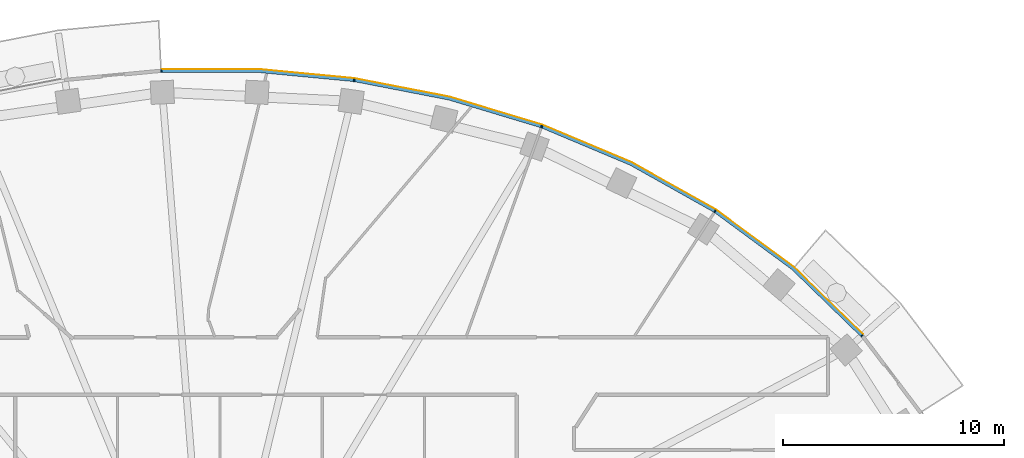
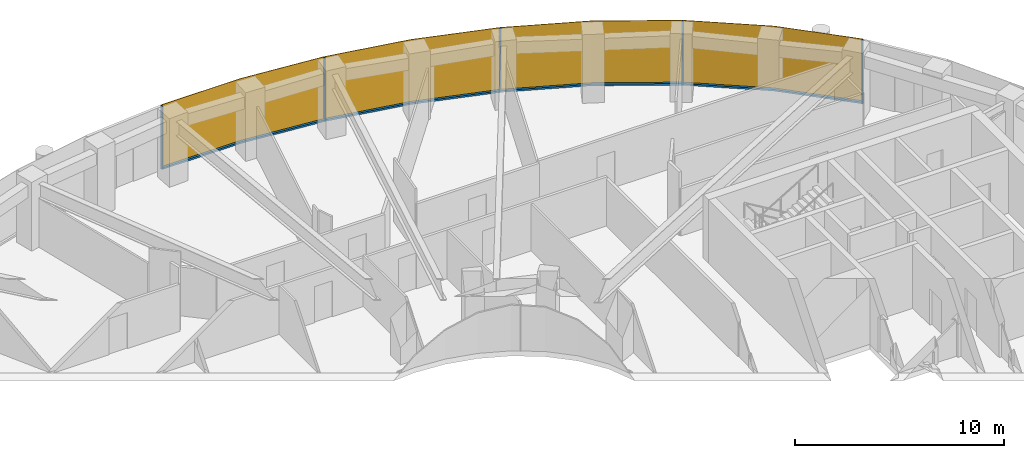
# One storey, part 14 of 17: 9 members, 1 curtain wall.
"""IFC4 building model written with IfcOpenShell, lengths in metres."""

from ifc_helpers import new_model, si_unit, direction, frame, origin, origin_2d, place, context, subcontext, project, spatial, polyline, rectangle, outline, extrude, material, layer, layer_set, material_profile, profile_set, type_object, element, aggregate, save


model = new_model("IFC4")

# Units and contexts
model_context = context("Model", 3, precision=1e-05, world=origin(), true_north=direction((0.0, 1.0)))
body_context = subcontext(model_context, "Body", "Model", "MODEL_VIEW")
ifc_project = project(units=[si_unit("LENGTHUNIT", "METRE"), si_unit("AREAUNIT", "SQUARE_METRE"), si_unit("VOLUMEUNIT", "CUBIC_METRE"), si_unit("PLANEANGLEUNIT", "RADIAN"), si_unit("MASSUNIT", "GRAM", prefix="KILO")], contexts=[model_context])

# Member
ifc_material_1 = material(Name="Aluminium 6063-T6 black anodised", Category="aluminium")
ifc_material_profile = material_profile(ifc_material_1, rectangle(XDim=0.1201171875, YDim=0.06005859375, at=origin_2d()), Name="120x60")
ifc_profile_set = profile_set([ifc_material_profile], Name="Aluminium 6063-T6 black anodised")
member_type_1 = type_object("IfcMemberType", Name="ENV-MULLION-A-120", PredefinedType="MULLION", material=ifc_profile_set)
site_placement = place(None, origin())
building_placement = place(site_placement, origin())
storey_placement = place(building_placement, frame((0.0, 0.0, 269.5)))
member_1_placement = place(storey_placement, frame((29.53857421875, 15.8671875, 0.0), z_axis=(0.0, 0.0, 1.0), x_axis=(-0.749047221705, -0.662516610853, 0.0)))
member_1 = element("IfcMember", 1, at=member_1_placement, type_object=member_type_1, Name="Mullion A radial 05", PredefinedType="MULLION", context=body_context, shape_type="SweptSolid", body=[
    extrude(rectangle(XDim=0.1201171875, YDim=0.06005859375, at=origin_2d()), origin(), (0.0, 0.0, 1.0), 3.699951171875),
])

member_2_placement = place(storey_placement, frame((22.882568359375, 21.506591796875, 0.0), z_axis=(0.0, 0.0, 1.0), x_axis=(-0.542279153225, -0.840198381323, 0.0)))
member_2 = element("IfcMember", 2, at=member_2_placement, type_object=member_type_1, Name="Mullion A radial 07", PredefinedType="MULLION", context=body_context, shape_type="SweptSolid", body=[
    extrude(rectangle(XDim=0.1201171875, YDim=0.06005859375, at=origin_2d()), origin(), (0.0, 0.0, 1.0), 3.699951171875),
])

member_3_placement = place(storey_placement, frame((15.0341796875, 25.34375, 0.0), z_axis=(0.0, 0.0, 1.0), x_axis=(-0.338379256581, -0.941009818608, 0.0)))
member_3 = element("IfcMember", 3, at=member_3_placement, type_object=member_type_1, Name="Mullion A radial 09", PredefinedType="MULLION", context=body_context, shape_type="SweptSolid", body=[
    extrude(rectangle(XDim=0.1201171875, YDim=0.06005859375, at=origin_2d()), origin(), (0.0, 0.0, 1.0), 3.699951171875),
])

member_4_placement = place(storey_placement, frame((6.54638671875, 27.440185546875, 0.0), z_axis=(0.0, 0.0, 1.0), x_axis=(-0.143082012705, -0.989710835366, 0.0)))
member_4 = element("IfcMember", 4, at=member_4_placement, type_object=member_type_1, Name="Mullion A radial 11", PredefinedType="MULLION", context=body_context, shape_type="SweptSolid", body=[
    extrude(rectangle(XDim=0.1201171875, YDim=0.06005859375, at=origin_2d()), origin(), (0.0, 0.0, 1.0), 3.699951171875),
])

member_5_placement = place(storey_placement, frame((-2.188720703125, 27.856201171875, 0.0), z_axis=(0.0, 0.0, 1.0), x_axis=(0.047557873581, -0.998868484166, 0.0)))
member_5 = element("IfcMember", 5, at=member_5_placement, type_object=member_type_1, Name="Mullion A radial 13", PredefinedType="MULLION", context=body_context, shape_type="SweptSolid", body=[
    extrude(rectangle(XDim=0.1201171875, YDim=0.06005859375, at=origin_2d()), origin(), (0.0, 0.0, 1.0), 3.699951171875),
])

ifc_material_2 = material(Name="Aluminium 6063-T6 black anodised", Category="aluminium")
member_type_2 = type_object("IfcMemberType", Name="ENV-TRANSOM-A", PredefinedType="USERDEFINED", material=ifc_material_2)
member_6_placement = place(storey_placement, origin())
member_6 = element("IfcMember", 6, at=member_6_placement, type_object=member_type_2, Name="Transom A radial 05-07", ObjectType="TRANSOM", PredefinedType="USERDEFINED", context=body_context, shape_type="SweptSolid", body=[
    extrude(outline(polyline([(29.5634765625, 15.926513671875), (26.4423828125, 18.958740234375), (22.937744140625, 21.540283203125), (22.87255859375, 21.439208984375), (26.364501953125, 18.866943359375), (29.473388671875, 15.8466796875), (29.5634765625, 15.926513671875)])), origin(), (0.0, 0.0, 1.0), 0.10009765625),
])

member_7_placement = place(storey_placement, origin())
member_7 = element("IfcMember", 7, at=member_7_placement, type_object=member_type_2, Name="Transom A radial 07-09", ObjectType="TRANSOM", PredefinedType="USERDEFINED", context=body_context, shape_type="SweptSolid", body=[
    extrude(outline(polyline([(22.890625, 21.570556640625), (19.093994140625, 23.701416015625), (15.080322265625, 25.389404296875), (15.03955078125, 25.276123046875), (19.041259765625, 23.593505859375), (22.825439453125, 21.469482421875), (22.890625, 21.570556640625)])), origin(), (0.0, 0.0, 1.0), 0.10009765625),
])

member_8_placement = place(storey_placement, origin())
member_8 = element("IfcMember", 8, at=member_8_placement, type_object=member_type_2, Name="Transom A radial 09-11", ObjectType="TRANSOM", PredefinedType="USERDEFINED", context=body_context, shape_type="SweptSolid", body=[
    extrude(outline(polyline([(15.027587890625, 25.408203125), (10.857666015625, 26.6630859375), (6.58251953125, 27.494140625), (6.5654296875, 27.375244140625), (10.828857421875, 26.54638671875), (14.987060546875, 25.295166015625), (15.027587890625, 25.408203125)])), origin(), (0.0, 0.0, 1.0), 0.10009765625),
])

member_9_placement = place(storey_placement, origin())
member_9 = element("IfcMember", 9, at=member_9_placement, type_object=member_type_2, Name="Transom A radial 11-13", ObjectType="TRANSOM", PredefinedType="USERDEFINED", context=body_context, shape_type="SweptSolid", body=[
    extrude(outline(polyline([(6.527099609375, 27.502197265625), (2.191650390625, 27.916015625), (-2.163818359375, 27.916015625), (-2.157958984375, 27.7958984375), (2.185791015625, 27.7958984375), (6.510009765625, 27.38330078125), (6.527099609375, 27.502197265625)])), origin(), (0.0, 0.0, 1.0), 0.10009765625),
])

# Site, building, storey
site = spatial("IfcSite", under=ifc_project, at=site_placement, CompositionType="ELEMENT")
building = spatial("IfcBuilding", under=site, at=building_placement, Name="Noorbagh Ring Tower", CompositionType="ELEMENT")
storey = spatial("IfcBuildingStorey", under=building, at=storey_placement, Name="L57", CompositionType="ELEMENT", Elevation=269.5)

# Curtain wall
ifc_material_3 = material(Name="Glass dark tinted laminated", Category="glass")
ifc_layer = layer(ifc_material_3, 0.031982421875)
ifc_layer_set = layer_set([ifc_layer], Name="Glass dark tinted laminated")
curtain_wall_type = type_object("IfcCurtainWallType", Name="ENV-CW-A", PredefinedType="NOTDEFINED", material=ifc_layer_set)
curtain_wall_placement = place(storey_placement, origin())
curtain_wall = element("IfcCurtainWall", 10, at=curtain_wall_placement, inside=storey, type_object=curtain_wall_type, Name="Curtain wall A R05", PredefinedType="NOTDEFINED", context=body_context, shape_type="SweptSolid", body=[
    extrude(outline(polyline([(29.59326171875, 15.942138671875), (26.463134765625, 18.9833984375), (22.9326171875, 21.583740234375), (19.108154296875, 23.730224609375), (15.065185546875, 25.430419921875), (10.865234375, 26.6943359375), (6.559814453125, 27.53125), (2.193115234375, 27.947998046875), (-2.173095703125, 27.947998046875), (-2.171630859375, 27.916015625), (2.191650390625, 27.916015625), (6.55517578125, 27.49951171875), (10.857666015625, 26.6630859375), (15.054443359375, 25.400146484375), (19.093994140625, 23.701416015625), (22.9150390625, 21.556884765625), (26.4423828125, 18.958740234375), (29.569091796875, 15.9208984375), (29.59326171875, 15.942138671875)])), origin(), (0.0, 0.0, 1.0), 3.699951171875),
])

aggregate(curtain_wall, [member_1, member_2, member_3, member_4, member_5, member_6, member_7, member_8, member_9])

save(model, "model.ifc")
